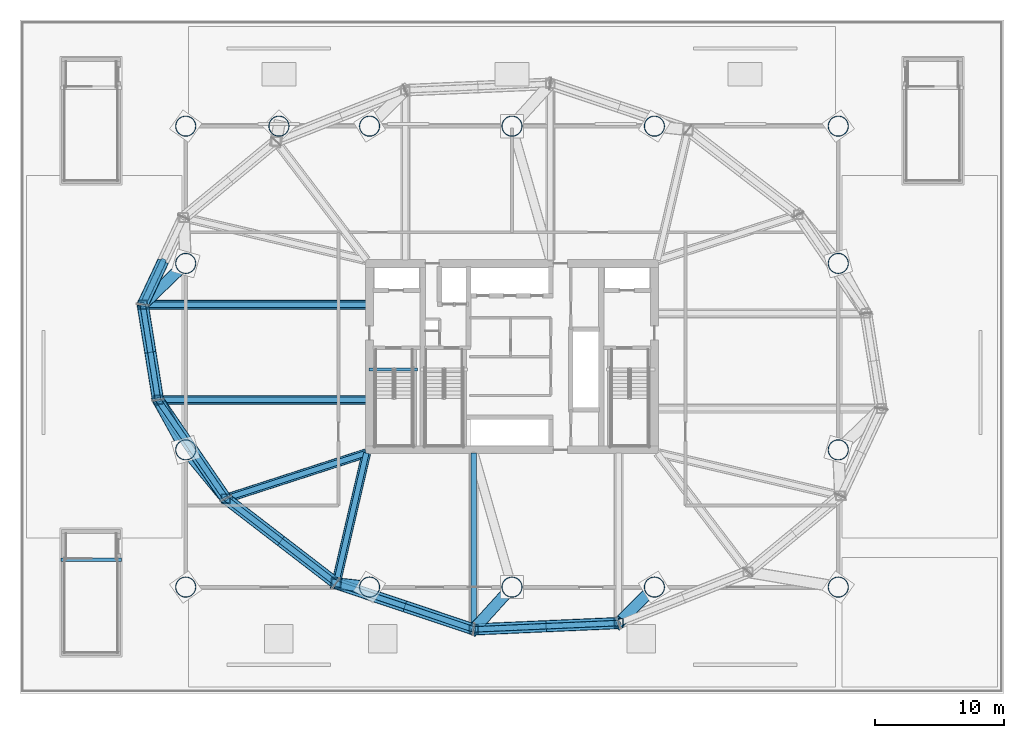
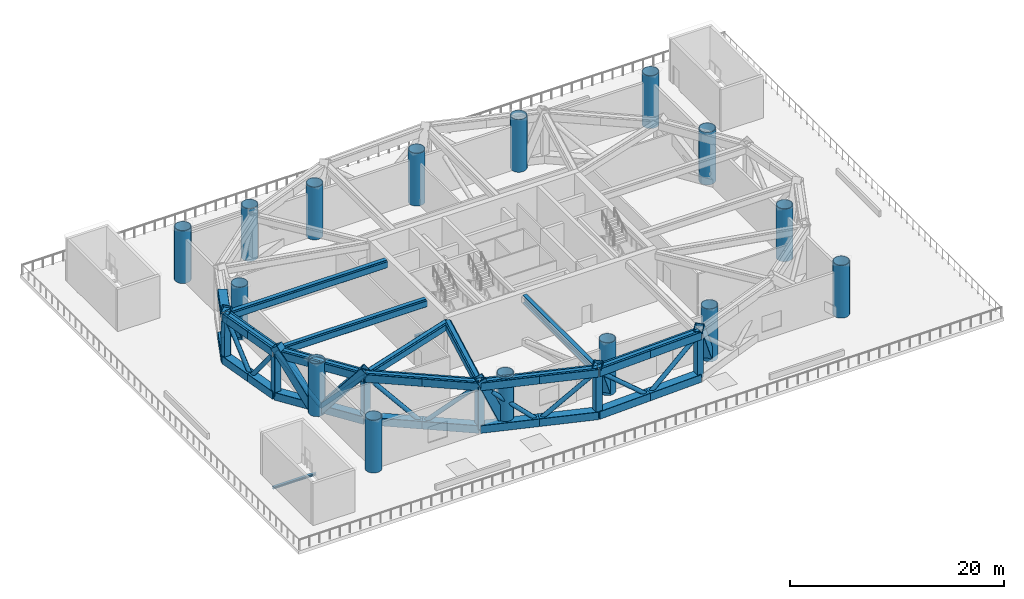
# One storey, part 1 of 14: 49 members, 15 columns, 12 beams.
"""IFC4 building model written with IfcOpenShell, lengths in metres."""

import ifcopenshell
import ifcopenshell.guid

model = None  # the IFC model being written
_history = None  # IfcOwnerHistory: only IFC2X3 demands one
_inside = {}  # id of a spatial element -> (the spatial element, [elements in it])
_under = {}  # id of a project, library or spatial element -> (it, [spatial elements below it])
_declared = {}  # id of a project -> (the project, [libraries it declares])
_typed = {}  # id of a type object -> (the type object, [elements of that type])
_made_of = {}  # id of a material, layer set ... -> (it, [elements and type objects made of it])


def new_model(schema):
    """Start an empty IFC model of exactly this schema.

    Asked for "IFC4X3", IfcOpenShell would pick the latest addendum, in which some entities
    have other attributes; the version numbers below select the first issue.
    IFC2X3 requires an IfcOwnerHistory on every rooted entity: one is made here for all.
    """
    global model, _history
    if schema == "IFC4X3":
        model = ifcopenshell.file(schema_version=(4, 3, 0, 0))
    else:
        model = ifcopenshell.file(schema=schema)
    _inside.clear()
    _under.clear()
    _declared.clear()
    _typed.clear()
    _made_of.clear()
    _history = None
    if model.schema == "IFC2X3":
        org = make("IfcOrganization", Name="unknown")
        user = make(
            "IfcPersonAndOrganization",
            ThePerson=make("IfcPerson", FamilyName="unknown"),
            TheOrganization=org,
        )
        app = make(
            "IfcApplication",
            ApplicationDeveloper=org,
            Version="unknown",
            ApplicationFullName="unknown",
            ApplicationIdentifier="unknown",
        )
        _history = make(
            "IfcOwnerHistory",
            OwningUser=user,
            OwningApplication=app,
            ChangeAction="ADDED",
            CreationDate=0,
        )
    return model


def make(cls, **values):
    """One entity of the class cls with the attributes given. An attribute that is None is left unset."""
    return model.create_entity(
        cls, **{name: value for name, value in values.items() if value is not None}
    )


def rooted(cls, **values):
    """An entity with a GlobalId (a new one), such as an element, a storey or a relation."""
    return make(cls, GlobalId=ifcopenshell.guid.new(), OwnerHistory=_history, **values)


def si_unit(unit_type, name, prefix=None):
    """IfcSIUnit, for example si_unit("LENGTHUNIT", "METRE", prefix="MILLI")."""
    return make("IfcSIUnit", UnitType=unit_type, Prefix=prefix, Name=name)


def assignment(units):
    """IfcUnitAssignment: the units of a project."""
    return None if units is None else make("IfcUnitAssignment", Units=units)


def point(xyz):
    """IfcCartesianPoint."""
    return None if xyz is None else make("IfcCartesianPoint", Coordinates=xyz)


def direction(xyz):
    """IfcDirection."""
    return None if xyz is None else make("IfcDirection", DirectionRatios=xyz)


def frame(location, z_axis=None, x_axis=None):
    """IfcAxis2Placement3D, a coordinate frame: its origin and axes. An axis left out is left unset."""
    return make(
        "IfcAxis2Placement3D",
        Location=point(location),
        Axis=direction(z_axis),
        RefDirection=direction(x_axis),
    )


def frame_2d(location, x_axis=None):
    """IfcAxis2Placement2D, a coordinate frame in the plane: its origin and x axis."""
    return make(
        "IfcAxis2Placement2D", Location=point(location), RefDirection=direction(x_axis)
    )


def origin():
    """The frame at (0, 0, 0) with its axes left unset."""
    return frame((0.0, 0.0, 0.0))


def origin_2d():
    """The frame at (0, 0) in the plane with its x axis left unset."""
    return frame_2d((0.0, 0.0))


def place(relative_to, where):
    """IfcLocalPlacement: puts the frame where relative to a parent placement (None: the world)."""
    return make(
        "IfcLocalPlacement", PlacementRelTo=relative_to, RelativePlacement=where
    )


def context(
    kind, dimensions, precision=None, world=None, true_north=None, identifier=None
):
    """IfcGeometricRepresentationContext, for example the 3D "Model" context."""
    return make(
        "IfcGeometricRepresentationContext",
        ContextIdentifier=identifier,
        ContextType=kind,
        CoordinateSpaceDimension=dimensions,
        Precision=precision,
        WorldCoordinateSystem=world,
        TrueNorth=true_north,
    )


def subcontext(parent, identifier, kind, view, scale=None):
    """IfcGeometricRepresentationSubContext, for example "Body" below "Model"."""
    return make(
        "IfcGeometricRepresentationSubContext",
        ContextIdentifier=identifier,
        ContextType=kind,
        ParentContext=parent,
        TargetScale=scale,
        TargetView=view,
    )


def project(units=None, contexts=None):
    """IfcProject with its units and contexts."""
    return rooted(
        "IfcProject",
        Name="project",
        RepresentationContexts=contexts,
        UnitsInContext=assignment(units),
    )


def spatial(cls, under=None, at=None, **own):
    """A site, building, storey or space (cls), placed at a placement, below another one or the project."""
    s = rooted(cls, ObjectPlacement=at, **own)
    if under is not None:
        _under.setdefault(under.id(), (under, []))[1].append(s)
    return s


def profile(cls, at=None, kind="AREA", **sizes):
    """A parametric profile (cls). Its sizes go by their IFC names, for example OverallWidth=200.0."""
    return make(cls, ProfileType=kind, Position=at, **sizes)


def hollow_rectangle(**sizes):
    """IfcRectangleHollowProfileDef."""
    return profile("IfcRectangleHollowProfileDef", **sizes)


def hollow_circle(**sizes):
    """IfcCircleHollowProfileDef."""
    return profile("IfcCircleHollowProfileDef", **sizes)


def i_section(**sizes):
    """IfcIShapeProfileDef."""
    return profile("IfcIShapeProfileDef", **sizes)


def extrude(swept, where, along, depth):
    """IfcExtrudedAreaSolid: the profile swept, set in the frame where, extruded along a direction by depth."""
    return make(
        "IfcExtrudedAreaSolid",
        SweptArea=swept,
        Position=where,
        ExtrudedDirection=direction(along),
        Depth=depth,
    )


def shape(context_of_items, identifier, shape_type, items):
    """IfcShapeRepresentation: the items that make up one representation, for example the "Body"."""
    return make(
        "IfcShapeRepresentation",
        ContextOfItems=context_of_items,
        RepresentationIdentifier=identifier,
        RepresentationType=shape_type,
        Items=items,
    )


def material(Name=None, Category=None):
    """IfcMaterial."""
    return make("IfcMaterial", Name=Name, Category=Category)


def material_profile(
    of_material, cross_section, Name=None, Category=None, Priority=None
):
    """IfcMaterialProfile: a cross section and its material."""
    return make(
        "IfcMaterialProfile",
        Name=Name,
        Material=of_material,
        Profile=cross_section,
        Priority=Priority,
        Category=Category,
    )


def profile_set(profiles, Name=None, composite=None):
    """IfcMaterialProfileSet."""
    return make(
        "IfcMaterialProfileSet",
        Name=Name,
        MaterialProfiles=profiles,
        CompositeProfile=composite,
    )


def made_of(thing, what):
    """Note that an element or type object is made of a material, layer set ...; save() writes the relation."""
    if what is not None:
        _made_of.setdefault(what.id(), (what, []))[1].append(thing)
    return thing


def type_object(cls, material=None, **own):
    """A type object (cls), such as IfcWallType, which elements share."""
    return made_of(rooted(cls, **own), material)


def element(
    cls,
    number,
    at=None,
    inside=None,
    cuts=None,
    type_object=None,
    material=None,
    context=None,
    identifier="Body",
    shape_type=None,
    held_by="IfcProductDefinitionShape",
    body=None,
    shapes=None,
    **own,
):
    """One element of the class cls, such as IfcWall. Its Tag is "e" and its number.

    at: its placement. inside: the storey or other place that contains it. cuts: it is an
    opening in that element (IfcRelVoidsElement). A single representation is given by context,
    identifier, shape_type and body (its items); several are given by shapes. held_by: the class
    of the entity that holds the representations. save() writes the other relations.
    """
    e = rooted(cls, Tag="e%d" % number, ObjectPlacement=at, **own)
    if body is not None:
        shapes = [shape(context, identifier, shape_type, body)]
    if shapes is not None:
        e.Representation = make(held_by, Representations=shapes)
    if inside is not None:
        _inside.setdefault(inside.id(), (inside, []))[1].append(e)
    if cuts is not None:
        rooted(
            "IfcRelVoidsElement", RelatingBuildingElement=cuts, RelatedOpeningElement=e
        )
    if type_object is not None:
        _typed.setdefault(type_object.id(), (type_object, []))[1].append(e)
    return made_of(e, material)


def aggregate(whole, parts):
    """IfcRelAggregates: a whole, such as a stair, and the parts it consists of."""
    return rooted("IfcRelAggregates", RelatingObject=whole, RelatedObjects=parts)


def save(model, path):
    """Write the relations noted so far, then the file.

    IfcRelAggregates (storeys below a building ...), IfcRelContainedInSpatialStructure (elements
    in a storey), IfcRelDefinesByType, IfcRelAssociatesMaterial and IfcRelDeclares: one each for
    every whole, place, type object, material and project.
    """
    for whole, parts in _under.values():
        aggregate(whole, parts)
    for where, things in _inside.values():
        rooted(
            "IfcRelContainedInSpatialStructure",
            RelatedElements=things,
            RelatingStructure=where,
        )
    for kind, things in _typed.values():
        rooted("IfcRelDefinesByType", RelatedObjects=things, RelatingType=kind)
    for what, things in _made_of.values():
        rooted("IfcRelAssociatesMaterial", RelatedObjects=things, RelatingMaterial=what)
    for by, libraries in _declared.values():
        rooted("IfcRelDeclares", RelatingContext=by, RelatedDefinitions=libraries)
    model.write(path)


model = new_model("IFC4")

# Units and contexts
model_context = context("Model", 3, precision=1e-05, world=origin(), true_north=direction((0.0, 1.0)))
body_context = subcontext(model_context, "Body", "Model", "MODEL_VIEW")
ifc_project = project(units=[si_unit("LENGTHUNIT", "METRE"), si_unit("AREAUNIT", "SQUARE_METRE"), si_unit("VOLUMEUNIT", "CUBIC_METRE"), si_unit("PLANEANGLEUNIT", "RADIAN"), si_unit("MASSUNIT", "GRAM", prefix="KILO")], contexts=[model_context])

# Site, building, storey
site_placement = place(None, origin())
site = spatial("IfcSite", under=ifc_project, at=site_placement, CompositionType="ELEMENT")
building_placement = place(site_placement, origin())
building = spatial("IfcBuilding", under=site, at=building_placement, Name="Bramvorn Convention Spire", CompositionType="ELEMENT")
storey_placement = place(building_placement, frame((0.0, 0.0, 35.39990234375)))
storey = spatial("IfcBuildingStorey", under=building, at=storey_placement, Name="L06", CompositionType="ELEMENT", Elevation=35.39990234375)

# Columns
ifc_material = material(Name="Steel CSA G40.21 Grade 350 (350W)", Category="steel")
ifc_material_profile_1 = material_profile(ifc_material, hollow_circle(Radius=0.800048828125, WallThickness=0.06005859375, at=origin_2d()))
ifc_profile_set_1 = profile_set([ifc_material_profile_1], Name="Steel CSA G40.21 Grade 350 (350W) - CFT1600X60")
column_type = type_object("IfcColumnType", Name="COL-CFT1600X60", PredefinedType="COLUMN", material=ifc_profile_set_1)
for number, where, z_axis, x_axis, name in (
    (1, (12.800048828125, 8.199951171875, 0.0), (0.0, 0.0, 1.0), (1.0, 0.0, 0.0), "L06 transfer support mega-column PR01"),
    (2, (27.0, 8.199951171875, 0.0), (0.0, 0.0, 1.0), (1.0, 0.0, 0.0), "L06 transfer support mega-column PR02"),
    (3, (38.0, 8.199951171875, 0.0), (0.0, 0.0, 1.0), (1.0, 0.0, 0.0), "L06 transfer support mega-column PR13"),
    (4, (49.0, 8.199951171875, 0.0), (0.0, 0.0, 1.0), (1.0, 0.0, 0.0), "L06 transfer support mega-column PR03"),
    (5, (63.199951171875, 8.199951171875, 0.0), (0.0, 0.0, 1.0), (1.0, 0.0, 0.0), "L06 transfer support mega-column PR04"),
    (6, (12.800048828125, 18.800048828125, 0.0), (0.0, 0.0, 1.0), (1.0, 0.0, 0.0), "L06 transfer support mega-column PR05"),
    (7, (63.199951171875, 18.800048828125, 0.0), (0.0, 0.0, 1.0), (1.0, 0.0, 0.0), "L06 transfer support mega-column PR06"),
    (8, (12.800048828125, 33.199951171875, 0.0), (0.0, 0.0, 1.0), (1.0, 0.0, 0.0), "L06 transfer support mega-column PR07"),
    (9, (63.199951171875, 33.199951171875, 0.0), (0.0, 0.0, 1.0), (1.0, 0.0, 0.0), "L06 transfer support mega-column PR08"),
    (10, (12.800048828125, 43.800048828125, 0.0), (0.0, 0.0, 1.0), (1.0, 0.0, 0.0), "L06 transfer support mega-column PR09"),
    (11, (20.0, 43.800048828125, 0.0), (0.0, 0.0, 1.0), (1.0, 0.0, 0.0), "L06 transfer support mega-column PR15"),
    (12, (27.0, 43.800048828125, 0.0), (0.0, 0.0, 1.0), (1.0, 0.0, 0.0), "L06 transfer support mega-column PR10"),
    (13, (38.0, 43.800048828125, 0.0), (0.0, 0.0, 1.0), (1.0, 0.0, 0.0), "L06 transfer support mega-column PR14"),
    (14, (49.0, 43.800048828125, 0.0), (0.0, 0.0, 1.0), (1.0, 0.0, 0.0), "L06 transfer support mega-column PR11"),
    (15, (63.199951171875, 43.800048828125, 0.0), (0.0, 0.0, 1.0), (1.0, 0.0, 0.0), "L06 transfer support mega-column PR12"),
):
    element("IfcColumn", number, at=place(storey_placement, frame(where, z_axis=z_axis, x_axis=x_axis)), inside=storey, type_object=column_type, Name=name, PredefinedType="COLUMN", context=body_context, shape_type="SweptSolid", body=[
        extrude(hollow_circle(Radius=0.800048828125, WallThickness=0.06005859375, at=origin_2d()), origin(), (0.0, 0.0, 1.0), 6.0),
    ])

# Beams
ifc_material_profile_2 = material_profile(ifc_material, i_section(OverallWidth=0.25390625, OverallDepth=0.2529296875, WebThickness=0.008544921875, FlangeThickness=0.01416015625, FilletRadius=0.011962890625, at=origin_2d()))
ifc_profile_set_2 = profile_set([ifc_material_profile_2], Name="Steel CSA G40.21 Grade 350 (350W) - W250X73")
beam_type_1 = type_object("IfcBeamType", Name="BM-W250X73", PredefinedType="BEAM", material=ifc_profile_set_2)
beam_1_placement = place(storey_placement, frame((26.949951171875, 25.010009765625, -0.12646484375), z_axis=(1.0, 0.0, 0.0), x_axis=(0.0, 1.0, 0.0)))
element("IfcBeam", 16, at=beam_1_placement, inside=storey, type_object=beam_type_1, Name="L06 ST1 stair arrival header beam", PredefinedType="BEAM", context=body_context, shape_type="SweptSolid", body=[
    extrude(i_section(OverallWidth=0.25390625, OverallDepth=0.2529296875, WebThickness=0.008544921875, FlangeThickness=0.01416015625, FilletRadius=0.011962890625, at=origin_2d()), origin(), (0.0, 0.0, 1.0), 3.739990234375),
])
beam_2_placement = place(storey_placement, frame((3.14990234375, 10.31005859375, -0.12646484375), z_axis=(1.0, 0.0, 0.0), x_axis=(0.0, 1.0, 0.0)))
element("IfcBeam", 17, at=beam_2_placement, inside=storey, type_object=beam_type_1, Name="L06 ST4 stair arrival header beam", PredefinedType="BEAM", context=body_context, shape_type="SweptSolid", body=[
    extrude(i_section(OverallWidth=0.25390625, OverallDepth=0.2529296875, WebThickness=0.008544921875, FlangeThickness=0.01416015625, FilletRadius=0.011962890625, at=origin_2d()), origin(), (0.0, 0.0, 1.0), 4.68017578125),
])
ifc_material_profile_3 = material_profile(ifc_material, i_section(OverallWidth=0.41796875, OverallDepth=0.912109375, WebThickness=0.019287109375, FlangeThickness=0.031982421875, FilletRadius=0.02392578125, at=origin_2d()))
ifc_profile_set_3 = profile_set([ifc_material_profile_3], Name="Steel CSA G40.21 Grade 350 (350W) - W920X342")
beam_type_2 = type_object("IfcBeamType", Name="BM-W920X342", PredefinedType="BEAM", material=ifc_profile_set_3)
beam_3_placement = place(storey_placement, frame((9.480224609375, 30.00830078125, 5.294189453125), z_axis=(0.158699222824, -0.987326975563, 0.0), x_axis=(0.987326975563, 0.158699222824, 0.0)))
element("IfcBeam", 18, at=beam_3_placement, inside=storey, type_object=beam_type_2, Name="L06 mega-column transfer ring girder 09", PredefinedType="BEAM", context=body_context, shape_type="SweptSolid", body=[
    extrude(i_section(OverallWidth=0.41796875, OverallDepth=0.912109375, WebThickness=0.019287109375, FlangeThickness=0.031982421875, FilletRadius=0.02392578125, at=origin_2d()), origin(), (0.0, 0.0, 1.0), 7.442626953125),
])
beam_4_placement = place(storey_placement, frame((26.75, 30.00830078125, 5.294189453125), z_axis=(-1.0, 0.0, 0.0), x_axis=(0.0, -1.0, 0.0)))
element("IfcBeam", 19, at=beam_4_placement, inside=storey, type_object=beam_type_2, Name="L06 mega-column radial transfer girder MC09", PredefinedType="BEAM", context=body_context, shape_type="SweptSolid", body=[
    extrude(i_section(OverallWidth=0.41796875, OverallDepth=0.912109375, WebThickness=0.019287109375, FlangeThickness=0.031982421875, FilletRadius=0.02392578125, at=origin_2d()), origin(), (0.0, 0.0, 1.0), 17.269775390625),
])
beam_5_placement = place(storey_placement, frame((10.661376953125, 22.659912109375, 5.294189453125), z_axis=(0.566129730789, -0.824316157743, 0.0), x_axis=(0.824316157743, 0.566129730789, 0.0)))
element("IfcBeam", 20, at=beam_5_placement, inside=storey, type_object=beam_type_2, Name="L06 mega-column transfer ring girder 10", PredefinedType="BEAM", context=body_context, shape_type="SweptSolid", body=[
    extrude(i_section(OverallWidth=0.41796875, OverallDepth=0.912109375, WebThickness=0.019287109375, FlangeThickness=0.031982421875, FilletRadius=0.02392578125, at=origin_2d()), origin(), (0.0, 0.0, 1.0), 9.244140625),
])
beam_6_placement = place(storey_placement, frame((26.75, 22.659912109375, 5.294189453125), z_axis=(-1.0, 0.0, 0.0), x_axis=(0.0, -1.0, 0.0)))
element("IfcBeam", 21, at=beam_6_placement, inside=storey, type_object=beam_type_2, Name="L06 mega-column radial transfer girder MC10", PredefinedType="BEAM", context=body_context, shape_type="SweptSolid", body=[
    extrude(i_section(OverallWidth=0.41796875, OverallDepth=0.912109375, WebThickness=0.019287109375, FlangeThickness=0.031982421875, FilletRadius=0.02392578125, at=origin_2d()), origin(), (0.0, 0.0, 1.0), 16.088623046875),
])
beam_7_placement = place(storey_placement, frame((15.894775390625, 15.039794921875, 5.294189453125), z_axis=(0.792672990445, -0.609647053809, 0.0), x_axis=(0.609647053809, 0.792672990445, 0.0)))
element("IfcBeam", 22, at=beam_7_placement, inside=storey, type_object=beam_type_2, Name="L06 mega-column transfer ring girder 11", PredefinedType="BEAM", context=body_context, shape_type="SweptSolid", body=[
    extrude(i_section(OverallWidth=0.41796875, OverallDepth=0.912109375, WebThickness=0.019287109375, FlangeThickness=0.031982421875, FilletRadius=0.02392578125, at=origin_2d()), origin(), (0.0, 0.0, 1.0), 10.741943359375),
])
beam_8_placement = place(storey_placement, frame((26.75, 18.550048828125, 5.294189453125), z_axis=(-0.951488933275, -0.307682969719, 0.0), x_axis=(0.307682969719, -0.951488933275, 0.0)))
element("IfcBeam", 23, at=beam_8_placement, inside=storey, type_object=beam_type_2, Name="L06 mega-column radial transfer girder MC11", PredefinedType="BEAM", context=body_context, shape_type="SweptSolid", body=[
    extrude(i_section(OverallWidth=0.41796875, OverallDepth=0.912109375, WebThickness=0.019287109375, FlangeThickness=0.031982421875, FilletRadius=0.02392578125, at=origin_2d()), origin(), (0.0, 0.0, 1.0), 11.40869140625),
])
beam_9_placement = place(storey_placement, frame((24.40966796875, 8.490966796875, 5.294189453125), z_axis=(0.948235872727, -0.317566890078, 0.0), x_axis=(0.317566890078, 0.948235872727, 0.0)))
element("IfcBeam", 24, at=beam_9_placement, inside=storey, type_object=beam_type_2, Name="L06 mega-column transfer ring girder 12", PredefinedType="BEAM", context=body_context, shape_type="SweptSolid", body=[
    extrude(i_section(OverallWidth=0.41796875, OverallDepth=0.912109375, WebThickness=0.019287109375, FlangeThickness=0.031982421875, FilletRadius=0.02392578125, at=origin_2d()), origin(), (0.0, 0.0, 1.0), 11.209716796875),
])
beam_10_placement = place(storey_placement, frame((26.75, 18.550048828125, 5.294189453125), z_axis=(-0.226606328522, -0.973986433106, 0.0), x_axis=(0.973986433106, -0.226606328522, 0.0)))
element("IfcBeam", 25, at=beam_10_placement, inside=storey, type_object=beam_type_2, Name="L06 mega-column radial transfer girder MC12", PredefinedType="BEAM", context=body_context, shape_type="SweptSolid", body=[
    extrude(i_section(OverallWidth=0.41796875, OverallDepth=0.912109375, WebThickness=0.019287109375, FlangeThickness=0.031982421875, FilletRadius=0.02392578125, at=origin_2d()), origin(), (0.0, 0.0, 1.0), 10.32763671875),
])
beam_11_placement = place(storey_placement, frame((35.0390625, 4.93115234375, 5.294189453125), z_axis=(0.999035582762, 0.043907907889, 0.0), x_axis=(-0.043907907889, 0.999035582762, 0.0)))
element("IfcBeam", 26, at=beam_11_placement, inside=storey, type_object=beam_type_2, Name="L06 mega-column transfer ring girder 13", PredefinedType="BEAM", context=body_context, shape_type="SweptSolid", body=[
    extrude(i_section(OverallWidth=0.41796875, OverallDepth=0.912109375, WebThickness=0.019287109375, FlangeThickness=0.031982421875, FilletRadius=0.02392578125, at=origin_2d()), origin(), (0.0, 0.0, 1.0), 11.20947265625),
])
beam_12_placement = place(storey_placement, frame((35.0390625, 18.550048828125, 5.294189453125), z_axis=(0.0, -1.0, 0.0), x_axis=(1.0, 0.0, 0.0)))
element("IfcBeam", 27, at=beam_12_placement, inside=storey, type_object=beam_type_2, Name="L06 mega-column radial transfer girder MC13", PredefinedType="BEAM", context=body_context, shape_type="SweptSolid", body=[
    extrude(i_section(OverallWidth=0.41796875, OverallDepth=0.912109375, WebThickness=0.019287109375, FlangeThickness=0.031982421875, FilletRadius=0.02392578125, at=origin_2d()), origin(), (0.0, 0.0, 1.0), 13.618896484375),
])

# Members
ifc_material_profile_4 = material_profile(ifc_material, hollow_rectangle(XDim=0.699951171875, YDim=0.699951171875, WallThickness=0.034912109375, InnerFilletRadius=0.0009765625, OuterFilletRadius=0.034912109375, at=origin_2d()))
ifc_profile_set_4 = profile_set([ifc_material_profile_4], Name="Steel CSA G40.21 Grade 350 (350W) - BOX700X700X35")
member_type_1 = type_object("IfcMemberType", Name="MBR-BOX700X700X35", PredefinedType="CHORD", material=ifc_profile_set_4)
member_1_placement = place(storey_placement, frame((9.480224609375, 30.00830078125, 0.4501953125), z_axis=(0.0, 0.0, 1.0), x_axis=(1.0, 0.0, 0.0)))
element("IfcMember", 28, at=member_1_placement, inside=storey, type_object=member_type_1, Name="L06 transfer truss node post MC09", PredefinedType="CHORD", context=body_context, shape_type="SweptSolid", body=[
    extrude(hollow_rectangle(XDim=0.699951171875, YDim=0.699951171875, WallThickness=0.034912109375, InnerFilletRadius=0.0009765625, OuterFilletRadius=0.034912109375, at=origin_2d()), origin(), (0.0, 0.0, 1.0), 4.849853515625),
])
member_2_placement = place(storey_placement, frame((26.75, 30.00830078125, 5.300048828125), z_axis=(-1.0, 0.0, 0.0), x_axis=(0.0, -1.0, 0.0)))
element("IfcMember", 29, at=member_2_placement, inside=storey, type_object=member_type_1, Name="L06 radial transfer top chord MC09", PredefinedType="CHORD", context=body_context, shape_type="SweptSolid", body=[
    extrude(hollow_rectangle(XDim=0.699951171875, YDim=0.699951171875, WallThickness=0.034912109375, InnerFilletRadius=0.0009765625, OuterFilletRadius=0.034912109375, at=origin_2d()), origin(), (0.0, 0.0, 1.0), 17.269775390625),
])
member_3_placement = place(storey_placement, frame((10.661376953125, 22.659912109375, 0.4501953125), z_axis=(0.0, 0.0, 1.0), x_axis=(1.0, 0.0, 0.0)))
element("IfcMember", 30, at=member_3_placement, inside=storey, type_object=member_type_1, Name="L06 transfer truss node post MC10", PredefinedType="CHORD", context=body_context, shape_type="SweptSolid", body=[
    extrude(hollow_rectangle(XDim=0.699951171875, YDim=0.699951171875, WallThickness=0.034912109375, InnerFilletRadius=0.0009765625, OuterFilletRadius=0.034912109375, at=origin_2d()), origin(), (0.0, 0.0, 1.0), 4.849853515625),
])
member_4_placement = place(storey_placement, frame((26.75, 22.659912109375, 5.300048828125), z_axis=(-1.0, 0.0, 0.0), x_axis=(0.0, -1.0, 0.0)))
element("IfcMember", 31, at=member_4_placement, inside=storey, type_object=member_type_1, Name="L06 radial transfer top chord MC10", PredefinedType="CHORD", context=body_context, shape_type="SweptSolid", body=[
    extrude(hollow_rectangle(XDim=0.699951171875, YDim=0.699951171875, WallThickness=0.034912109375, InnerFilletRadius=0.0009765625, OuterFilletRadius=0.034912109375, at=origin_2d()), origin(), (0.0, 0.0, 1.0), 16.088623046875),
])
member_5_placement = place(storey_placement, frame((15.894775390625, 15.039794921875, 0.4501953125), z_axis=(0.0, 0.0, 1.0), x_axis=(1.0, 0.0, 0.0)))
element("IfcMember", 32, at=member_5_placement, inside=storey, type_object=member_type_1, Name="L06 transfer truss node post MC11", PredefinedType="CHORD", context=body_context, shape_type="SweptSolid", body=[
    extrude(hollow_rectangle(XDim=0.699951171875, YDim=0.699951171875, WallThickness=0.034912109375, InnerFilletRadius=0.0009765625, OuterFilletRadius=0.034912109375, at=origin_2d()), origin(), (0.0, 0.0, 1.0), 4.849853515625),
])
member_6_placement = place(storey_placement, frame((26.75, 18.550048828125, 5.300048828125), z_axis=(-0.951488933275, -0.307682969719, 0.0), x_axis=(0.307682969719, -0.951488933275, 0.0)))
element("IfcMember", 33, at=member_6_placement, inside=storey, type_object=member_type_1, Name="L06 radial transfer top chord MC11", PredefinedType="CHORD", context=body_context, shape_type="SweptSolid", body=[
    extrude(hollow_rectangle(XDim=0.699951171875, YDim=0.699951171875, WallThickness=0.034912109375, InnerFilletRadius=0.0009765625, OuterFilletRadius=0.034912109375, at=origin_2d()), origin(), (0.0, 0.0, 1.0), 11.40869140625),
])
member_7_placement = place(storey_placement, frame((24.40966796875, 8.490966796875, 0.4501953125), z_axis=(0.0, 0.0, 1.0), x_axis=(1.0, 0.0, 0.0)))
element("IfcMember", 34, at=member_7_placement, inside=storey, type_object=member_type_1, Name="L06 transfer truss node post MC12", PredefinedType="CHORD", context=body_context, shape_type="SweptSolid", body=[
    extrude(hollow_rectangle(XDim=0.699951171875, YDim=0.699951171875, WallThickness=0.034912109375, InnerFilletRadius=0.0009765625, OuterFilletRadius=0.034912109375, at=origin_2d()), origin(), (0.0, 0.0, 1.0), 4.849853515625),
])
member_8_placement = place(storey_placement, frame((26.75, 18.550048828125, 5.300048828125), z_axis=(-0.226606328522, -0.973986433106, 0.0), x_axis=(0.973986433106, -0.226606328522, 0.0)))
element("IfcMember", 35, at=member_8_placement, inside=storey, type_object=member_type_1, Name="L06 radial transfer top chord MC12", PredefinedType="CHORD", context=body_context, shape_type="SweptSolid", body=[
    extrude(hollow_rectangle(XDim=0.699951171875, YDim=0.699951171875, WallThickness=0.034912109375, InnerFilletRadius=0.0009765625, OuterFilletRadius=0.034912109375, at=origin_2d()), origin(), (0.0, 0.0, 1.0), 10.32763671875),
])
for number, where, z_axis, x_axis, name in (
    (36, (35.0390625, 4.93115234375, 0.4501953125), (0.0, 0.0, 1.0), (1.0, 0.0, 0.0), "L06 transfer truss node post MC13"),
    (37, (46.23779296875, 5.42333984375, 0.4501953125), (0.0, 0.0, 1.0), (1.0, 0.0, 0.0), "L06 transfer truss node post MC14"),
):
    element("IfcMember", number, at=place(storey_placement, frame(where, z_axis=z_axis, x_axis=x_axis)), inside=storey, type_object=member_type_1, Name=name, PredefinedType="CHORD", context=body_context, shape_type="SweptSolid", body=[
        extrude(hollow_rectangle(XDim=0.699951171875, YDim=0.699951171875, WallThickness=0.034912109375, InnerFilletRadius=0.0009765625, OuterFilletRadius=0.034912109375, at=origin_2d()), origin(), (0.0, 0.0, 1.0), 4.849853515625),
    ])
ifc_material_profile_5 = material_profile(ifc_material, hollow_rectangle(XDim=0.89990234375, YDim=0.89990234375, WallThickness=0.044921875, InnerFilletRadius=0.0009765625, OuterFilletRadius=0.044921875, at=origin_2d()))
ifc_profile_set_5 = profile_set([ifc_material_profile_5], Name="Steel CSA G40.21 Grade 350 (350W) - BOX900X900X45")
member_type_2 = type_object("IfcMemberType", Name="MBR-BOX900X900X45", PredefinedType="CHORD", material=ifc_profile_set_5)
for number, where, z_axis, x_axis, name in (
    (38, (11.060791015625, 33.377197265625, 5.300048828125), (-0.424741454752, -0.905314694797, 0.0), (0.905314694797, -0.424741454752, 0.0), "L06 Warren transfer ring top chord 8.2"),
    (39, (11.060791015625, 33.377197265625, 0.4501953125), (-0.424741454752, -0.905314694797, 0.0), (0.905314694797, -0.424741454752, 0.0), "L06 Warren transfer ring bottom chord 8.2"),
):
    element("IfcMember", number, at=place(storey_placement, frame(where, z_axis=z_axis, x_axis=x_axis)), inside=storey, type_object=member_type_2, Name=name, PredefinedType="CHORD", context=body_context, shape_type="SweptSolid", body=[
        extrude(hollow_rectangle(XDim=0.89990234375, YDim=0.89990234375, WallThickness=0.044921875, InnerFilletRadius=0.0009765625, OuterFilletRadius=0.044921875, at=origin_2d()), origin(), (0.0, 0.0, 1.0), 3.72119140625),
    ])
for number, where, z_axis, x_axis, name in (
    (40, (9.480224609375, 30.00830078125, 5.300048828125), (0.158694083206, -0.987327801673, 0.0), (0.987327801673, 0.158694083206, 0.0), "L06 Warren transfer ring top chord 9.1"),
    (41, (9.480224609375, 30.00830078125, 0.4501953125), (0.158694083206, -0.987327801673, 0.0), (0.987327801673, 0.158694083206, 0.0), "L06 Warren transfer ring bottom chord 9.1"),
):
    element("IfcMember", number, at=place(storey_placement, frame(where, z_axis=z_axis, x_axis=x_axis)), inside=storey, type_object=member_type_2, Name=name, PredefinedType="CHORD", context=body_context, shape_type="SweptSolid", body=[
        extrude(hollow_rectangle(XDim=0.89990234375, YDim=0.89990234375, WallThickness=0.044921875, InnerFilletRadius=0.0009765625, OuterFilletRadius=0.044921875, at=origin_2d()), origin(), (0.0, 0.0, 1.0), 3.721435546875),
    ])
for number, where, z_axis, x_axis, name in (
    (42, (10.07080078125, 26.333984375, 5.300048828125), (0.158704362771, -0.987326149374, 0.0), (0.987326149374, 0.158704362771, 0.0), "L06 Warren transfer ring top chord 9.2"),
    (43, (10.07080078125, 26.333984375, 0.4501953125), (0.158704362771, -0.987326149374, 0.0), (0.987326149374, 0.158704362771, 0.0), "L06 Warren transfer ring bottom chord 9.2"),
):
    element("IfcMember", number, at=place(storey_placement, frame(where, z_axis=z_axis, x_axis=x_axis)), inside=storey, type_object=member_type_2, Name=name, PredefinedType="CHORD", context=body_context, shape_type="SweptSolid", body=[
        extrude(hollow_rectangle(XDim=0.89990234375, YDim=0.89990234375, WallThickness=0.044921875, InnerFilletRadius=0.0009765625, OuterFilletRadius=0.044921875, at=origin_2d()), origin(), (0.0, 0.0, 1.0), 3.72119140625),
    ])
member_9_placement = place(storey_placement, frame((12.800048828125, 33.199951171875, 0.0), z_axis=(-0.438921867714, -0.42197570059, 0.793274291877), x_axis=(0.693053621919, -0.72088603617, 0.0)))
element("IfcMember", 44, at=member_9_placement, inside=storey, type_object=member_type_2, Name="L06 radial transfer strut to MC09", PredefinedType="CHORD", context=body_context, shape_type="SweptSolid", body=[
    extrude(hollow_rectangle(XDim=0.89990234375, YDim=0.89990234375, WallThickness=0.044921875, InnerFilletRadius=0.0009765625, OuterFilletRadius=0.044921875, at=origin_2d()), origin(), (0.0, 0.0, 1.0), 7.5634765625),
])
for number, where, z_axis, x_axis, name in (
    (45, (10.661376953125, 22.659912109375, 5.300048828125), (0.566129730789, -0.824316157743, 0.0), (0.824316157743, 0.566129730789, 0.0), "L06 Warren transfer ring top chord 10.1"),
    (46, (10.661376953125, 22.659912109375, 0.4501953125), (0.566129730789, -0.824316157743, 0.0), (0.824316157743, 0.566129730789, 0.0), "L06 Warren transfer ring bottom chord 10.1"),
    (47, (13.278076171875, 18.849853515625, 5.300048828125), (0.566129730789, -0.824316157743, 0.0), (0.824316157743, 0.566129730789, 0.0), "L06 Warren transfer ring top chord 10.2"),
    (48, (13.278076171875, 18.849853515625, 0.4501953125), (0.566129730789, -0.824316157743, 0.0), (0.824316157743, 0.566129730789, 0.0), "L06 Warren transfer ring bottom chord 10.2"),
):
    element("IfcMember", number, at=place(storey_placement, frame(where, z_axis=z_axis, x_axis=x_axis)), inside=storey, type_object=member_type_2, Name=name, PredefinedType="CHORD", context=body_context, shape_type="SweptSolid", body=[
        extrude(hollow_rectangle(XDim=0.89990234375, YDim=0.89990234375, WallThickness=0.044921875, InnerFilletRadius=0.0009765625, OuterFilletRadius=0.044921875, at=origin_2d()), origin(), (0.0, 0.0, 1.0), 4.6220703125),
    ])
member_10_placement = place(storey_placement, frame((12.800048828125, 18.800048828125, 0.0), z_axis=(-0.287147763316, 0.51824270982, 0.805587149687), x_axis=(-0.874704760516, -0.484656148141, 0.0)))
element("IfcMember", 49, at=member_10_placement, inside=storey, type_object=member_type_2, Name="L06 radial transfer strut to MC10", PredefinedType="CHORD", context=body_context, shape_type="SweptSolid", body=[
    extrude(hollow_rectangle(XDim=0.89990234375, YDim=0.89990234375, WallThickness=0.044921875, InnerFilletRadius=0.0009765625, OuterFilletRadius=0.044921875, at=origin_2d()), origin(), (0.0, 0.0, 1.0), 7.447998046875),
])
for number, where, z_axis, x_axis, name in (
    (50, (15.894775390625, 15.039794921875, 5.300048828125), (0.7926814374, -0.609636070784, 0.0), (0.609636070784, 0.7926814374, 0.0), "L06 Warren transfer ring top chord 11.1"),
    (51, (15.894775390625, 15.039794921875, 0.4501953125), (0.7926814374, -0.609636070784, 0.0), (0.609636070784, 0.7926814374, 0.0), "L06 Warren transfer ring bottom chord 11.1"),
):
    element("IfcMember", number, at=place(storey_placement, frame(where, z_axis=z_axis, x_axis=x_axis)), inside=storey, type_object=member_type_2, Name=name, PredefinedType="CHORD", context=body_context, shape_type="SweptSolid", body=[
        extrude(hollow_rectangle(XDim=0.89990234375, YDim=0.89990234375, WallThickness=0.044921875, InnerFilletRadius=0.0009765625, OuterFilletRadius=0.044921875, at=origin_2d()), origin(), (0.0, 0.0, 1.0), 5.37109375),
    ])
for number, where, z_axis, x_axis, name in (
    (52, (20.15234375, 11.765380859375, 5.300048828125), (0.792664543034, -0.609658037113, 0.0), (0.609658037113, 0.792664543034, 0.0), "L06 Warren transfer ring top chord 11.2"),
    (53, (20.15234375, 11.765380859375, 0.4501953125), (0.792664543034, -0.609658037113, 0.0), (0.609658037113, 0.792664543034, 0.0), "L06 Warren transfer ring bottom chord 11.2"),
):
    element("IfcMember", number, at=place(storey_placement, frame(where, z_axis=z_axis, x_axis=x_axis)), inside=storey, type_object=member_type_2, Name=name, PredefinedType="CHORD", context=body_context, shape_type="SweptSolid", body=[
        extrude(hollow_rectangle(XDim=0.89990234375, YDim=0.89990234375, WallThickness=0.044921875, InnerFilletRadius=0.0009765625, OuterFilletRadius=0.044921875, at=origin_2d()), origin(), (0.0, 0.0, 1.0), 5.370849609375),
    ])
member_11_placement = place(storey_placement, frame((12.800048828125, 18.800048828125, 0.0), z_axis=(0.400473576489, -0.486596246851, 0.776430941606), x_axis=(0.772127003942, 0.635468244512, 0.0)))
element("IfcMember", 54, at=member_11_placement, inside=storey, type_object=member_type_2, Name="L06 radial transfer strut to MC11", PredefinedType="CHORD", context=body_context, shape_type="SweptSolid", body=[
    extrude(hollow_rectangle(XDim=0.89990234375, YDim=0.89990234375, WallThickness=0.044921875, InnerFilletRadius=0.0009765625, OuterFilletRadius=0.044921875, at=origin_2d()), origin(), (0.0, 0.0, 1.0), 7.727783203125),
])
for number, where, z_axis, x_axis, name in (
    (55, (24.40966796875, 8.490966796875, 5.300048828125), (0.948229314146, -0.31758647294, 0.0), (0.31758647294, 0.948229314146, 0.0), "L06 Warren transfer ring top chord 12.1"),
    (56, (24.40966796875, 8.490966796875, 0.4501953125), (0.948229314146, -0.31758647294, 0.0), (0.31758647294, 0.948229314146, 0.0), "L06 Warren transfer ring bottom chord 12.1"),
):
    element("IfcMember", number, at=place(storey_placement, frame(where, z_axis=z_axis, x_axis=x_axis)), inside=storey, type_object=member_type_2, Name=name, PredefinedType="CHORD", context=body_context, shape_type="SweptSolid", body=[
        extrude(hollow_rectangle(XDim=0.89990234375, YDim=0.89990234375, WallThickness=0.044921875, InnerFilletRadius=0.0009765625, OuterFilletRadius=0.044921875, at=origin_2d()), origin(), (0.0, 0.0, 1.0), 5.60498046875),
    ])
for number, where, z_axis, x_axis, name in (
    (57, (29.724365234375, 6.7109375, 5.300048828125), (0.948242430994, -0.31754730681, 0.0), (0.31754730681, 0.948242430994, 0.0), "L06 Warren transfer ring top chord 12.2"),
    (58, (29.724365234375, 6.7109375, 0.4501953125), (0.948242430994, -0.31754730681, 0.0), (0.31754730681, 0.948242430994, 0.0), "L06 Warren transfer ring bottom chord 12.2"),
):
    element("IfcMember", number, at=place(storey_placement, frame(where, z_axis=z_axis, x_axis=x_axis)), inside=storey, type_object=member_type_2, Name=name, PredefinedType="CHORD", context=body_context, shape_type="SweptSolid", body=[
        extrude(hollow_rectangle(XDim=0.89990234375, YDim=0.89990234375, WallThickness=0.044921875, InnerFilletRadius=0.0009765625, OuterFilletRadius=0.044921875, at=origin_2d()), origin(), (0.0, 0.0, 1.0), 5.604736328125),
    ])
member_12_placement = place(storey_placement, frame((27.0, 8.199951171875, 0.0), z_axis=(-0.395969200111, 0.0444858894, 0.917185585478), x_axis=(-0.111644474103, -0.993748213283, 0.0)))
element("IfcMember", 59, at=member_12_placement, inside=storey, type_object=member_type_2, Name="L06 radial transfer strut to MC12", PredefinedType="CHORD", context=body_context, shape_type="SweptSolid", body=[
    extrude(hollow_rectangle(XDim=0.89990234375, YDim=0.89990234375, WallThickness=0.044921875, InnerFilletRadius=0.0009765625, OuterFilletRadius=0.044921875, at=origin_2d()), origin(), (0.0, 0.0, 1.0), 6.541748046875),
])
for number, where, z_axis, x_axis, name in (
    (60, (35.0390625, 4.93115234375, 5.300048828125), (0.999035582762, 0.043907907889, 0.0), (-0.043907907889, 0.999035582762, 0.0), "L06 Warren transfer ring top chord 13.1"),
    (61, (35.0390625, 4.93115234375, 0.4501953125), (0.999035582762, 0.043907907889, 0.0), (-0.043907907889, 0.999035582762, 0.0), "L06 Warren transfer ring bottom chord 13.1"),
    (62, (40.638427734375, 5.17724609375, 5.300048828125), (0.999035582762, 0.043907907889, 0.0), (-0.043907907889, 0.999035582762, 0.0), "L06 Warren transfer ring top chord 13.2"),
    (63, (40.638427734375, 5.17724609375, 0.4501953125), (0.999035582762, 0.043907907889, 0.0), (-0.043907907889, 0.999035582762, 0.0), "L06 Warren transfer ring bottom chord 13.2"),
):
    element("IfcMember", number, at=place(storey_placement, frame(where, z_axis=z_axis, x_axis=x_axis)), inside=storey, type_object=member_type_2, Name=name, PredefinedType="CHORD", context=body_context, shape_type="SweptSolid", body=[
        extrude(hollow_rectangle(XDim=0.89990234375, YDim=0.89990234375, WallThickness=0.044921875, InnerFilletRadius=0.0009765625, OuterFilletRadius=0.044921875, at=origin_2d()), origin(), (0.0, 0.0, 1.0), 5.604736328125),
    ])
member_13_placement = place(storey_placement, frame((38.0, 8.199951171875, 0.0), z_axis=(-0.397621503308, -0.438963910602, 0.805734339156), x_axis=(0.741146168567, -0.671343695002, 0.0)))
element("IfcMember", 64, at=member_13_placement, inside=storey, type_object=member_type_2, Name="L06 radial transfer strut to MC13", PredefinedType="CHORD", context=body_context, shape_type="SweptSolid", body=[
    extrude(hollow_rectangle(XDim=0.89990234375, YDim=0.89990234375, WallThickness=0.044921875, InnerFilletRadius=0.0009765625, OuterFilletRadius=0.044921875, at=origin_2d()), origin(), (0.0, 0.0, 1.0), 7.446533203125),
])
member_14_placement = place(storey_placement, frame((49.0, 8.199951171875, 0.0), z_axis=(-0.385505882175, -0.387516209827, 0.837386650198), x_axis=(0.708943291589, -0.705265488529, 0.0)))
element("IfcMember", 65, at=member_14_placement, inside=storey, type_object=member_type_2, Name="L06 radial transfer strut to MC14", PredefinedType="CHORD", context=body_context, shape_type="SweptSolid", body=[
    extrude(hollow_rectangle(XDim=0.89990234375, YDim=0.89990234375, WallThickness=0.044921875, InnerFilletRadius=0.0009765625, OuterFilletRadius=0.044921875, at=origin_2d()), origin(), (0.0, 0.0, 1.0), 7.1650390625),
])
ifc_material_profile_6 = material_profile(ifc_material, hollow_circle(Radius=0.228515625, WallThickness=0.01904296875, at=origin_2d()))
ifc_profile_set_6 = profile_set([ifc_material_profile_6], Name="Steel CSA G40.21 Grade 350 (350W) - CHS457X19")
member_type_3 = type_object("IfcMemberType", Name="MBR-CHS457X19", PredefinedType="BRACE", material=ifc_profile_set_6)
for number, where, z_axis, x_axis, name in (
    (66, (11.060791015625, 33.377197265625, 0.4501953125), (-0.25855834641, -0.551103895909, 0.793367555056), (0.905314694797, -0.424741454752, 0.0), "L06 Warren transfer diagonal 8B"),
    (67, (9.480224609375, 30.00830078125, 5.300048828125), (0.09660768967, -0.601052389225, -0.793349216741), (0.987327801673, 0.158694083206, 0.0), "L06 Warren transfer diagonal 9A"),
    (68, (10.07080078125, 26.333984375, 0.4501953125), (0.096610008672, -0.601026879083, 0.793368260548), (0.987326149374, 0.158704362771, 0.0), "L06 Warren transfer diagonal 9B"),
):
    element("IfcMember", number, at=place(storey_placement, frame(where, z_axis=z_axis, x_axis=x_axis)), inside=storey, type_object=member_type_3, Name=name, PredefinedType="BRACE", context=body_context, shape_type="SweptSolid", body=[
        extrude(hollow_circle(Radius=0.228515625, WallThickness=0.01904296875, at=origin_2d()), origin(), (0.0, 0.0, 1.0), 6.113037109375),
    ])
for number, where, z_axis, x_axis, name in (
    (69, (10.661376953125, 22.659912109375, 5.300048828125), (0.390575003953, -0.568698778848, -0.723901143267), (0.824316157743, 0.566129730789, 0.0), "L06 Warren transfer diagonal 10A"),
    (70, (13.278076171875, 18.849853515625, 0.4501953125), (0.390575003953, -0.568698778848, 0.723901143267), (0.824316157743, 0.566129730789, 0.0), "L06 Warren transfer diagonal 10B"),
):
    element("IfcMember", number, at=place(storey_placement, frame(where, z_axis=z_axis, x_axis=x_axis)), inside=storey, type_object=member_type_3, Name=name, PredefinedType="BRACE", context=body_context, shape_type="SweptSolid", body=[
        extrude(hollow_circle(Radius=0.228515625, WallThickness=0.01904296875, at=origin_2d()), origin(), (0.0, 0.0, 1.0), 6.69970703125),
    ])
member_15_placement = place(storey_placement, frame((15.894775390625, 15.039794921875, 5.300048828125), z_axis=(0.58833049391, -0.452473684519, -0.67017519706), x_axis=(0.609636070784, 0.7926814374, 0.0)))
element("IfcMember", 71, at=member_15_placement, inside=storey, type_object=member_type_3, Name="L06 Warren transfer diagonal 11A", PredefinedType="BRACE", context=body_context, shape_type="SweptSolid", body=[
    extrude(hollow_circle(Radius=0.228515625, WallThickness=0.01904296875, at=origin_2d()), origin(), (0.0, 0.0, 1.0), 7.23681640625),
])
member_16_placement = place(storey_placement, frame((20.15234375, 11.765380859375, 0.4501953125), z_axis=(0.588308434074, -0.452482665317, 0.670188498846), x_axis=(0.609658037113, 0.792664543034, 0.0)))
element("IfcMember", 72, at=member_16_placement, inside=storey, type_object=member_type_3, Name="L06 Warren transfer diagonal 11B", PredefinedType="BRACE", context=body_context, shape_type="SweptSolid", body=[
    extrude(hollow_circle(Radius=0.228515625, WallThickness=0.01904296875, at=origin_2d()), origin(), (0.0, 0.0, 1.0), 7.236572265625),
])
for number, where, z_axis, x_axis, name in (
    (73, (24.40966796875, 8.490966796875, 5.300048828125), (0.717053620681, -0.240159766107, -0.654337368497), (0.31758647294, 0.948229314146, 0.0), "L06 Warren transfer diagonal 12A"),
    (74, (29.724365234375, 6.7109375, 0.4501953125), (0.717059292735, -0.240128726356, 0.654342544453), (0.31754730681, 0.948242430994, 0.0), "L06 Warren transfer diagonal 12B"),
    (75, (35.0390625, 4.93115234375, 5.300048828125), (0.755468013193, 0.033203041522, -0.654343670464), (-0.043907907889, 0.999035582762, 0.0), "L06 Warren transfer diagonal 13A"),
    (76, (40.638427734375, 5.17724609375, 0.4501953125), (0.755468013193, 0.033203041522, 0.654343670464), (-0.043907907889, 0.999035582762, 0.0), "L06 Warren transfer diagonal 13B"),
):
    element("IfcMember", number, at=place(storey_placement, frame(where, z_axis=z_axis, x_axis=x_axis)), inside=storey, type_object=member_type_3, Name=name, PredefinedType="BRACE", context=body_context, shape_type="SweptSolid", body=[
        extrude(hollow_circle(Radius=0.228515625, WallThickness=0.01904296875, at=origin_2d()), origin(), (0.0, 0.0, 1.0), 7.411865234375),
    ])

save(model, "model.ifc")
